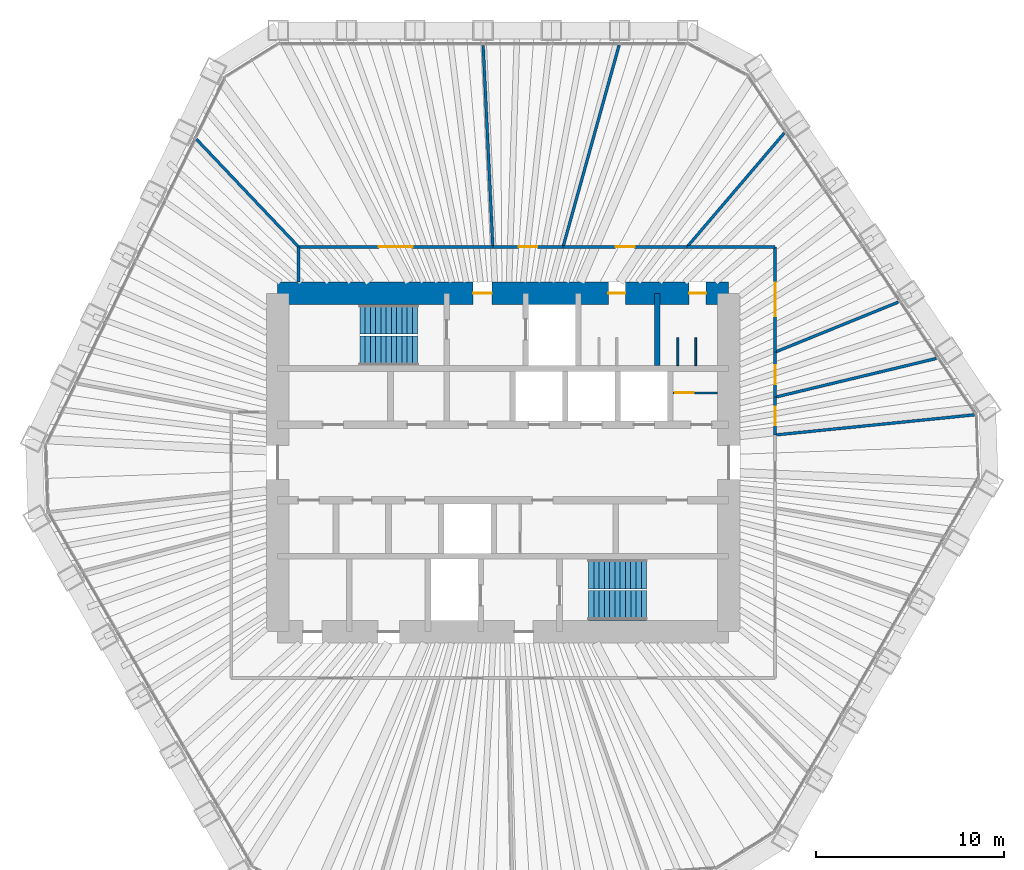
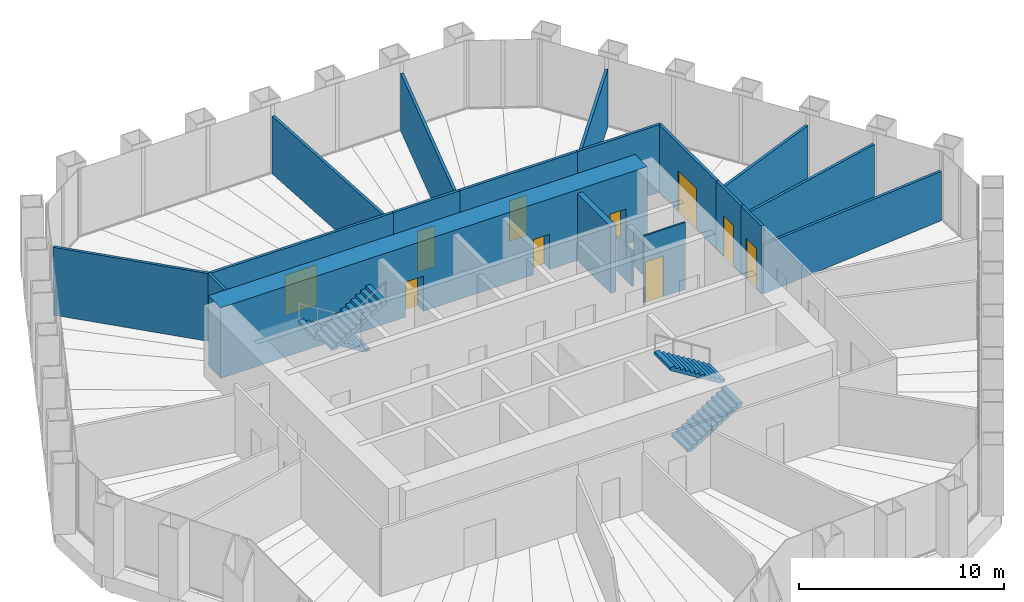
# One storey, part 12 of 13: 20 walls, 10 doors, 4 stair flights, 10 openings, 2 elements without a shape of their own.
"""IFC4 building model written with IfcOpenShell, lengths in metres."""

from ifc_helpers import new_model, si_unit, direction, frame, frame_2d, origin, place, context, subcontext, project, spatial, polyline, rectangle, outline, extrude, material, layer, layer_set, type_object, element, fill, aggregate, save


model = new_model("IFC4")

# Units and contexts
model_context = context("Model", 3, precision=1e-05, world=origin(), true_north=direction((0.0, 1.0)))
body_context = subcontext(model_context, "Body", "Model", "MODEL_VIEW")
ifc_project = project(units=[si_unit("LENGTHUNIT", "METRE"), si_unit("AREAUNIT", "SQUARE_METRE"), si_unit("VOLUMEUNIT", "CUBIC_METRE"), si_unit("PLANEANGLEUNIT", "RADIAN"), si_unit("MASSUNIT", "GRAM", prefix="KILO")], contexts=[model_context])

# Site, building, storey
site_placement = place(None, origin())
site = spatial("IfcSite", under=ifc_project, at=site_placement, CompositionType="ELEMENT")
building_placement = place(site_placement, origin())
building = spatial("IfcBuilding", under=site, at=building_placement, Name="Qingtian Harvest Tower", CompositionType="ELEMENT")
storey_placement = place(building_placement, frame((0.0, 0.0, 205.60009765625)))
storey = spatial("IfcBuildingStorey", under=building, at=storey_placement, Name="L44", CompositionType="ELEMENT", Elevation=205.60009765625)

# Wall
ifc_material_1 = material(Name="Precast concrete shaft panel", Category="concrete")
ifc_layer_1 = layer(ifc_material_1, 0.300048828125)
ifc_layer_set_1 = layer_set([ifc_layer_1], Name="Core shaft partition SW1 300")
wall_type_1 = type_object("IfcWallType", Name="Core shaft partition SW1 300", PredefinedType="PARTITIONING", material=ifc_layer_set_1)
wall_1_placement = place(storey_placement, frame((8.199951171875, 5.14990234375, 0.0), z_axis=(0.0, 0.0, 1.0), x_axis=(0.0, 1.0, 0.0)))
element("IfcWall", 1, at=wall_1_placement, inside=storey, type_object=wall_type_1, Name="Core shaft partition XN4 L44", PredefinedType="PARTITIONING", context=body_context, shape_type="SweptSolid", body=[
    extrude(rectangle(XDim=3.85009765625, YDim=0.300048828125, at=frame_2d((1.925048828125, 0.0))), origin(), (0.0, 0.0, 1.0), 3.97998046875),
])

# Wall, openings, doors
ifc_material_2 = material(Name="Concrete fc' 70 MPa", Category="concrete")
ifc_layer_2 = layer(ifc_material_2, 1.199951171875)
ifc_layer_set_2 = layer_set([ifc_layer_2], Name="Core wall RC2 1200")
wall_type_2 = type_object("IfcWallType", Name="Core wall RC2 1200", PredefinedType="SHEAR", material=ifc_layer_set_2)
wall_2_placement = place(storey_placement, frame((-12.0, 9.0, 0.0), z_axis=(0.0, 0.0, 1.0), x_axis=(1.0, 0.0, 0.0)))
wall_2 = element("IfcWall", 2, at=wall_2_placement, inside=storey, type_object=wall_type_2, Name="Core wall CN L44", PredefinedType="SHEAR", context=body_context, shape_type="SweptSolid", body=[
    extrude(rectangle(XDim=24.0, YDim=1.199951171875, at=frame_2d((12.0, 0.0))), origin(), (0.0, 0.0, 1.0), 4.199951171875),
])
opening_1_placement = place(wall_2_placement, frame((10.39990234375, 0.0, 0.0)))
opening_1 = element("IfcOpeningElement", 3, at=opening_1_placement, cuts=wall_2, Name="Opening FD1", PredefinedType="OPENING", context=body_context, shape_type="SweptSolid", body=[
    extrude(rectangle(XDim=1.0, YDim=2.10009765625, at=frame_2d((0.5, 1.050048828125))), frame((0.0, 0.60986328125, 0.0), z_axis=(0.0, -1.0, 0.0), x_axis=(1.0, 0.0, 0.0)), (0.0, 0.0, 1.0), 1.219970703125),
])
opening_2_placement = place(wall_2_placement, frame((17.60009765625, 0.0, 0.0)))
opening_2 = element("IfcOpeningElement", 4, at=opening_2_placement, cuts=wall_2, Name="Opening D1", PredefinedType="OPENING", context=body_context, shape_type="SweptSolid", body=[
    extrude(rectangle(XDim=0.89990234375, YDim=2.10009765625, at=frame_2d((0.449951171875, 1.050048828125))), frame((0.0, 0.60986328125, 0.0), z_axis=(0.0, -1.0, 0.0), x_axis=(1.0, 0.0, 0.0)), (0.0, 0.0, 1.0), 1.219970703125),
])
opening_3_placement = place(wall_2_placement, frame((21.89990234375, 0.0, 0.0)))
opening_3 = element("IfcOpeningElement", 5, at=opening_3_placement, cuts=wall_2, Name="Opening D1", PredefinedType="OPENING", context=body_context, shape_type="SweptSolid", body=[
    extrude(rectangle(XDim=0.89990234375, YDim=2.10009765625, at=frame_2d((0.449951171875, 1.050048828125))), frame((0.0, 0.60986328125, 0.0), z_axis=(0.0, -1.0, 0.0), x_axis=(1.0, 0.0, 0.0)), (0.0, 0.0, 1.0), 1.219970703125),
])
ifc_material_3 = material(Name="Steel-faced door leaf", Category="steel")
door_type_1 = type_object("IfcDoorType", Name="Fire door FD1 single 1 HR", OperationType="SINGLE_SWING_LEFT", PredefinedType="DOOR", material=ifc_material_3)
door_1_placement = place(opening_1_placement, origin())
door_1 = element("IfcDoor", 6, at=door_1_placement, inside=storey, type_object=door_type_1, Name="V1 door L44", OperationType="SINGLE_SWING_LEFT", OverallHeight=2.10009765625, OverallWidth=1.0, PredefinedType="DOOR", context=body_context, shape_type="SweptSolid", body=[
    extrude(rectangle(XDim=1.0, YDim=2.10009765625, at=frame_2d((0.5, 1.050048828125))), frame((0.0, 0.02490234375, 0.0), z_axis=(0.0, -1.0, 0.0), x_axis=(1.0, 0.0, 0.0)), (0.0, 0.0, 1.0), 0.050048828125),
])
fill(opening_1, door_1)
ifc_material_4 = material(Name="Laminated timber door leaf", Category="wood")
door_type_2 = type_object("IfcDoorType", Name="Toilet door D1 single", OperationType="SINGLE_SWING_LEFT", PredefinedType="DOOR", material=ifc_material_4)
door_2_placement = place(opening_2_placement, origin())
door_2 = element("IfcDoor", 7, at=door_2_placement, inside=storey, type_object=door_type_2, Name="WCM door L44", OperationType="SINGLE_SWING_LEFT", OverallHeight=2.10009765625, OverallWidth=0.89990234375, PredefinedType="DOOR", context=body_context, shape_type="SweptSolid", body=[
    extrude(rectangle(XDim=0.89990234375, YDim=2.10009765625, at=frame_2d((0.449951171875, 1.050048828125))), frame((0.0, 0.02490234375, 0.0), z_axis=(0.0, -1.0, 0.0), x_axis=(1.0, 0.0, 0.0)), (0.0, 0.0, 1.0), 0.050048828125),
])
fill(opening_2, door_2)
door_3_placement = place(opening_3_placement, origin())
door_3 = element("IfcDoor", 8, at=door_3_placement, inside=storey, type_object=door_type_2, Name="WCF door L44", OperationType="SINGLE_SWING_LEFT", OverallHeight=2.10009765625, OverallWidth=0.89990234375, PredefinedType="DOOR", context=body_context, shape_type="SweptSolid", body=[
    extrude(rectangle(XDim=0.89990234375, YDim=2.10009765625, at=frame_2d((0.449951171875, 1.050048828125))), frame((0.0, 0.02490234375, 0.0), z_axis=(0.0, -1.0, 0.0), x_axis=(1.0, 0.0, 0.0)), (0.0, 0.0, 1.0), 0.050048828125),
])
fill(opening_3, door_3)

# Walls
ifc_material_5 = material(Name="Gypsum board on steel studs", Category="steel")
ifc_layer_3 = layer(ifc_material_5, 0.14990234375)
ifc_layer_set_3 = layer_set([ifc_layer_3], Name="Partition PT1 150")
wall_type_3 = type_object("IfcWallType", Name="Partition PT1 150", PredefinedType="PARTITIONING", material=ifc_layer_set_3)
wall_3_placement = place(storey_placement, frame((-10.888671875, 9.60009765625, 0.0), z_axis=(0.0, 0.0, 1.0), x_axis=(0.0, 1.0, 0.0)))
element("IfcWall", 9, at=wall_3_placement, inside=storey, type_object=wall_type_3, Name="Workplace zone wall L44", PredefinedType="PARTITIONING", context=body_context, shape_type="SweptSolid", body=[
    extrude(rectangle(XDim=1.875, YDim=0.14990234375, at=frame_2d((0.9375, 0.0))), origin(), (0.0, 0.0, 1.0), 4.02978515625),
])
wall_4_placement = place(storey_placement, frame((-16.31884765625, 17.19775390625, 0.0), z_axis=(0.0, 0.0, 1.0), x_axis=(0.688326413955, -0.725401094466, 0.0)))
element("IfcWall", 10, at=wall_4_placement, inside=storey, type_object=wall_type_3, Name="Meeting room wall L44", PredefinedType="PARTITIONING", context=body_context, shape_type="SweptSolid", body=[
    extrude(rectangle(XDim=7.888916015625, YDim=0.14990234375, at=frame_2d((3.9443359375, 0.0))), origin(), (0.0, 0.0, 1.0), 4.02978515625),
])

# Wall, opening, door
wall_5_placement = place(storey_placement, frame((-10.888671875, 11.47509765625, 0.0), z_axis=(0.0, 0.0, 1.0), x_axis=(1.0, 0.0, 0.0)))
wall_5 = element("IfcWall", 11, at=wall_5_placement, inside=storey, type_object=wall_type_3, Name="Meeting room wall L44", PredefinedType="PARTITIONING", context=body_context, shape_type="SweptSolid", body=[
    extrude(rectangle(XDim=10.33740234375, YDim=0.14990234375, at=frame_2d((5.168701171875, 0.0))), origin(), (0.0, 0.0, 1.0), 4.02978515625),
])
opening_4_placement = place(wall_5_placement, frame((4.268798828125, 0.0, 0.0)))
opening_4 = element("IfcOpeningElement", 12, at=opening_4_placement, cuts=wall_5, Name="Opening D3", PredefinedType="OPENING", context=body_context, shape_type="SweptSolid", body=[
    extrude(rectangle(XDim=1.800048828125, YDim=2.39990234375, at=frame_2d((0.89990234375, 1.199951171875))), frame((0.0, 0.0849609375, 0.0), z_axis=(0.0, -1.0, 0.0), x_axis=(1.0, 0.0, 0.0)), (0.0, 0.0, 1.0), 0.169921875),
])
ifc_material_6 = material(Name="Laminated timber door leaf", Category="wood")
door_type_3 = type_object("IfcDoorType", Name="Room door D3 double", OperationType="DOUBLE_DOOR_DOUBLE_SWING", PredefinedType="DOOR", material=ifc_material_6)
door_4_placement = place(opening_4_placement, origin())
door_4 = element("IfcDoor", 13, at=door_4_placement, inside=storey, type_object=door_type_3, Name="Meeting room door L44", OperationType="DOUBLE_DOOR_DOUBLE_SWING", OverallHeight=2.39990234375, OverallWidth=1.800048828125, PredefinedType="DOOR", context=body_context, shape_type="SweptSolid", body=[
    extrude(rectangle(XDim=1.800048828125, YDim=2.39990234375, at=frame_2d((0.89990234375, 1.199951171875))), frame((0.0, 0.02490234375, 0.0), z_axis=(0.0, -1.0, 0.0), x_axis=(1.0, 0.0, 0.0)), (0.0, 0.0, 1.0), 0.050048828125),
])
fill(opening_4, door_4)

# Wall
wall_6_placement = place(storey_placement, frame((-1.066650390625, 22.2001953125, 0.0), z_axis=(0.0, 0.0, 1.0), x_axis=(0.047998335863, -0.998847415652, 0.0)))
element("IfcWall", 14, at=wall_6_placement, inside=storey, type_object=wall_type_3, Name="Focus room wall L44", PredefinedType="PARTITIONING", context=body_context, shape_type="SweptSolid", body=[
    extrude(rectangle(XDim=10.737548828125, YDim=0.14990234375, at=frame_2d((5.36865234375, 0.0))), origin(), (0.0, 0.0, 1.0), 3.429931640625),
])

# Wall, opening, door
wall_7_placement = place(storey_placement, frame((-0.55126953125, 11.47509765625, 0.0), z_axis=(0.0, 0.0, 1.0), x_axis=(1.0, 0.0, 0.0)))
wall_7 = element("IfcWall", 15, at=wall_7_placement, inside=storey, type_object=wall_type_3, Name="Focus room wall L44", PredefinedType="PARTITIONING", context=body_context, shape_type="SweptSolid", body=[
    extrude(rectangle(XDim=3.739501953125, YDim=0.14990234375, at=frame_2d((1.86962890625, 0.0))), origin(), (0.0, 0.0, 1.0), 4.02978515625),
])
opening_5_placement = place(wall_7_placement, frame((1.36962890625, 0.0, 0.0)))
opening_5 = element("IfcOpeningElement", 16, at=opening_5_placement, cuts=wall_7, Name="Opening D2", PredefinedType="OPENING", context=body_context, shape_type="SweptSolid", body=[
    extrude(rectangle(XDim=1.0, YDim=2.39990234375, at=frame_2d((0.5, 1.199951171875))), frame((0.0, 0.0849609375, 0.0), z_axis=(0.0, -1.0, 0.0), x_axis=(1.0, 0.0, 0.0)), (0.0, 0.0, 1.0), 0.169921875),
])
ifc_material_7 = material(Name="Laminated timber door leaf", Category="wood")
door_type_4 = type_object("IfcDoorType", Name="Room door D2 single", OperationType="SINGLE_SWING_LEFT", PredefinedType="DOOR", material=ifc_material_7)
door_5_placement = place(opening_5_placement, origin())
door_5 = element("IfcDoor", 17, at=door_5_placement, inside=storey, type_object=door_type_4, Name="Focus room door L44", OperationType="SINGLE_SWING_LEFT", OverallHeight=2.39990234375, OverallWidth=1.0, PredefinedType="DOOR", context=body_context, shape_type="SweptSolid", body=[
    extrude(rectangle(XDim=1.0, YDim=2.39990234375, at=frame_2d((0.5, 1.199951171875))), frame((0.0, 0.02490234375, 0.0), z_axis=(0.0, -1.0, 0.0), x_axis=(1.0, 0.0, 0.0)), (0.0, 0.0, 1.0), 0.050048828125),
])
fill(opening_5, door_5)

# Wall
wall_8_placement = place(storey_placement, frame((6.1689453125, 22.20361328125, 0.0), z_axis=(0.0, 0.0, 1.0), x_axis=(-0.26769135876, -0.963504715321, 0.0)))
element("IfcWall", 18, at=wall_8_placement, inside=storey, type_object=wall_type_3, Name="Pantry wall L44", PredefinedType="PARTITIONING", context=body_context, shape_type="SweptSolid", body=[
    extrude(rectangle(XDim=11.134765625, YDim=0.14990234375, at=frame_2d((5.5673828125, 0.0))), origin(), (0.0, 0.0, 1.0), 3.429931640625),
])

# Wall, opening, door
wall_9_placement = place(storey_placement, frame((3.188232421875, 11.47509765625, 0.0), z_axis=(0.0, 0.0, 1.0), x_axis=(1.0, 0.0, 0.0)))
wall_9 = element("IfcWall", 19, at=wall_9_placement, inside=storey, type_object=wall_type_3, Name="Pantry wall L44", PredefinedType="PARTITIONING", context=body_context, shape_type="SweptSolid", body=[
    extrude(rectangle(XDim=6.602783203125, YDim=0.14990234375, at=frame_2d((3.30126953125, 0.0))), origin(), (0.0, 0.0, 1.0), 4.02978515625),
])
opening_6_placement = place(wall_9_placement, frame((2.801513671875, 0.0, 0.0)))
opening_6 = element("IfcOpeningElement", 20, at=opening_6_placement, cuts=wall_9, Name="Opening D2", PredefinedType="OPENING", context=body_context, shape_type="SweptSolid", body=[
    extrude(rectangle(XDim=1.0, YDim=2.39990234375, at=frame_2d((0.5, 1.199951171875))), frame((0.0, 0.0849609375, 0.0), z_axis=(0.0, -1.0, 0.0), x_axis=(1.0, 0.0, 0.0)), (0.0, 0.0, 1.0), 0.169921875),
])
door_6_placement = place(opening_6_placement, origin())
door_6 = element("IfcDoor", 21, at=door_6_placement, inside=storey, type_object=door_type_4, Name="Pantry door L44", OperationType="SINGLE_SWING_LEFT", OverallHeight=2.39990234375, OverallWidth=1.0, PredefinedType="DOOR", context=body_context, shape_type="SweptSolid", body=[
    extrude(rectangle(XDim=1.0, YDim=2.39990234375, at=frame_2d((0.5, 1.199951171875))), frame((0.0, 0.02490234375, 0.0), z_axis=(0.0, -1.0, 0.0), x_axis=(1.0, 0.0, 0.0)), (0.0, 0.0, 1.0), 0.050048828125),
])
fill(opening_6, door_6)

# Walls
wall_10_placement = place(storey_placement, frame((14.9580078125, 17.530517578125, 0.0), z_axis=(0.0, 0.0, 1.0), x_axis=(-0.649097500837, -0.760705221756, 0.0)))
element("IfcWall", 22, at=wall_10_placement, inside=storey, type_object=wall_type_3, Name="Workplace zone wall L44", PredefinedType="PARTITIONING", context=body_context, shape_type="SweptSolid", body=[
    extrude(rectangle(XDim=7.960205078125, YDim=0.14990234375, at=frame_2d((3.97998046875, 0.0))), origin(), (0.0, 0.0, 1.0), 3.429931640625),
])
wall_11_placement = place(storey_placement, frame((9.791015625, 11.47509765625, 0.0), z_axis=(0.0, 0.0, 1.0), x_axis=(1.0, 0.0, 0.0)))
element("IfcWall", 23, at=wall_11_placement, inside=storey, type_object=wall_type_3, Name="Workplace zone wall L44", PredefinedType="PARTITIONING", context=body_context, shape_type="SweptSolid", body=[
    extrude(rectangle(XDim=4.68408203125, YDim=0.14990234375, at=frame_2d((2.342041015625, 0.0))), origin(), (0.0, 0.0, 1.0), 4.02978515625),
])

# Wall, opening, door
wall_12_placement = place(storey_placement, frame((14.47509765625, 11.47509765625, 0.0), z_axis=(0.0, 0.0, 1.0), x_axis=(0.0, -1.0, 0.0)))
wall_12 = element("IfcWall", 24, at=wall_12_placement, inside=storey, type_object=wall_type_3, Name="Workplace zone wall L44", PredefinedType="PARTITIONING", context=body_context, shape_type="SweptSolid", body=[
    extrude(rectangle(XDim=5.601318359375, YDim=0.14990234375, at=frame_2d((2.80078125, 0.0))), origin(), (0.0, 0.0, 1.0), 4.02978515625),
])
opening_7_placement = place(wall_12_placement, frame((1.900634765625, 0.0, 0.0)))
opening_7 = element("IfcOpeningElement", 25, at=opening_7_placement, cuts=wall_12, Name="Opening D3", PredefinedType="OPENING", context=body_context, shape_type="SweptSolid", body=[
    extrude(rectangle(XDim=1.800048828125, YDim=2.39990234375, at=frame_2d((0.89990234375, 1.199951171875))), frame((0.0, 0.0849609375, 0.0), z_axis=(0.0, -1.0, 0.0), x_axis=(1.0, 0.0, 0.0)), (0.0, 0.0, 1.0), 0.169921875),
])
door_7_placement = place(opening_7_placement, origin())
door_7 = element("IfcDoor", 26, at=door_7_placement, inside=storey, type_object=door_type_3, Name="Workplace zone door L44", OperationType="DOUBLE_DOOR_DOUBLE_SWING", OverallHeight=2.39990234375, OverallWidth=1.800048828125, PredefinedType="DOOR", context=body_context, shape_type="SweptSolid", body=[
    extrude(rectangle(XDim=1.800048828125, YDim=2.39990234375, at=frame_2d((0.89990234375, 1.199951171875))), frame((0.0, 0.02490234375, 0.0), z_axis=(0.0, -1.0, 0.0), x_axis=(1.0, 0.0, 0.0)), (0.0, 0.0, 1.0), 0.050048828125),
])
fill(opening_7, door_7)

# Wall
wall_13_placement = place(storey_placement, frame((21.02587890625, 8.531982421875, 0.0), z_axis=(0.0, 0.0, 1.0), x_axis=(-0.926617028548, -0.376006492503, 0.0)))
element("IfcWall", 27, at=wall_13_placement, inside=storey, type_object=wall_type_3, Name="Store room wall L44", PredefinedType="PARTITIONING", context=body_context, shape_type="SweptSolid", body=[
    extrude(rectangle(XDim=7.069580078125, YDim=0.14990234375, at=frame_2d((3.53466796875, 0.0))), origin(), (0.0, 0.0, 1.0), 3.429931640625),
])

# Wall, opening, door
wall_14_placement = place(storey_placement, frame((14.47509765625, 5.873779296875, 0.0), z_axis=(0.0, 0.0, 1.0), x_axis=(0.0, -1.0, 0.0)))
wall_14 = element("IfcWall", 28, at=wall_14_placement, inside=storey, type_object=wall_type_3, Name="Store room wall L44", PredefinedType="PARTITIONING", context=body_context, shape_type="SweptSolid", body=[
    extrude(rectangle(XDim=2.399169921875, YDim=0.14990234375, at=frame_2d((1.19970703125, 0.0))), origin(), (0.0, 0.0, 1.0), 4.02978515625),
])
opening_8_placement = place(wall_14_placement, frame((0.699462890625, 0.0, 0.0)))
opening_8 = element("IfcOpeningElement", 29, at=opening_8_placement, cuts=wall_14, Name="Opening D2", PredefinedType="OPENING", context=body_context, shape_type="SweptSolid", body=[
    extrude(rectangle(XDim=1.0, YDim=2.39990234375, at=frame_2d((0.5, 1.199951171875))), frame((0.0, 0.0849609375, 0.0), z_axis=(0.0, -1.0, 0.0), x_axis=(1.0, 0.0, 0.0)), (0.0, 0.0, 1.0), 0.169921875),
])
door_8_placement = place(opening_8_placement, origin())
door_8 = element("IfcDoor", 30, at=door_8_placement, inside=storey, type_object=door_type_4, Name="Store room door L44", OperationType="SINGLE_SWING_LEFT", OverallHeight=2.39990234375, OverallWidth=1.0, PredefinedType="DOOR", context=body_context, shape_type="SweptSolid", body=[
    extrude(rectangle(XDim=1.0, YDim=2.39990234375, at=frame_2d((0.5, 1.199951171875))), frame((0.0, 0.02490234375, 0.0), z_axis=(0.0, -1.0, 0.0), x_axis=(1.0, 0.0, 0.0)), (0.0, 0.0, 1.0), 0.050048828125),
])
fill(opening_8, door_8)

# Wall
wall_15_placement = place(storey_placement, frame((23.052978515625, 5.53369140625, 0.0), z_axis=(0.0, 0.0, 1.0), x_axis=(-0.972377252501, -0.233414821335, 0.0)))
element("IfcWall", 31, at=wall_15_placement, inside=storey, type_object=wall_type_3, Name="Private office wall L44", PredefinedType="PARTITIONING", context=body_context, shape_type="SweptSolid", body=[
    extrude(rectangle(XDim=8.821533203125, YDim=0.14990234375, at=frame_2d((4.41064453125, 0.0))), origin(), (0.0, 0.0, 1.0), 3.429931640625),
])

# Wall, opening, door
wall_16_placement = place(storey_placement, frame((14.47509765625, 3.474609375, 0.0), z_axis=(0.0, 0.0, 1.0), x_axis=(0.0, -1.0, 0.0)))
wall_16 = element("IfcWall", 32, at=wall_16_placement, inside=storey, type_object=wall_type_3, Name="Private office wall L44", PredefinedType="PARTITIONING", context=body_context, shape_type="SweptSolid", body=[
    extrude(rectangle(XDim=2.011962890625, YDim=0.14990234375, at=frame_2d((1.005859375, 0.0))), origin(), (0.0, 0.0, 1.0), 4.02978515625),
])
opening_9_placement = place(wall_16_placement, frame((0.505859375, 0.0, 0.0)))
opening_9 = element("IfcOpeningElement", 33, at=opening_9_placement, cuts=wall_16, Name="Opening D2", PredefinedType="OPENING", context=body_context, shape_type="SweptSolid", body=[
    extrude(rectangle(XDim=1.0, YDim=2.39990234375, at=frame_2d((0.5, 1.199951171875))), frame((0.0, 0.0849609375, 0.0), z_axis=(0.0, -1.0, 0.0), x_axis=(1.0, 0.0, 0.0)), (0.0, 0.0, 1.0), 0.169921875),
])
door_9_placement = place(opening_9_placement, origin())
door_9 = element("IfcDoor", 34, at=door_9_placement, inside=storey, type_object=door_type_4, Name="Private office door L44", OperationType="SINGLE_SWING_LEFT", OverallHeight=2.39990234375, OverallWidth=1.0, PredefinedType="DOOR", context=body_context, shape_type="SweptSolid", body=[
    extrude(rectangle(XDim=1.0, YDim=2.39990234375, at=frame_2d((0.5, 1.199951171875))), frame((0.0, 0.02490234375, 0.0), z_axis=(0.0, -1.0, 0.0), x_axis=(1.0, 0.0, 0.0)), (0.0, 0.0, 1.0), 0.050048828125),
])
fill(opening_9, door_9)

# Wall
wall_17_placement = place(storey_placement, frame((25.082763671875, 2.53466796875, 0.0), z_axis=(0.0, 0.0, 1.0), x_axis=(-0.994932122767, -0.10054884925, 0.0)))
element("IfcWall", 35, at=wall_17_placement, inside=storey, type_object=wall_type_3, Name="Private office wall L44", PredefinedType="PARTITIONING", context=body_context, shape_type="SweptSolid", body=[
    extrude(rectangle(XDim=10.66162109375, YDim=0.14990234375, at=frame_2d((5.330810546875, 0.0))), origin(), (0.0, 0.0, 1.0), 2.929931640625),
])

# Wall, opening, door
ifc_material_8 = material(Name="Concrete block partition", Category="concrete")
ifc_layer_4 = layer(ifc_material_8, 0.10009765625)
ifc_layer_set_4 = layer_set([ifc_layer_4], Name="Store partition PT3 100")
wall_type_4 = type_object("IfcWallType", Name="Store partition PT3 100", PredefinedType="PARTITIONING", material=ifc_layer_set_4)
wall_18_placement = place(storey_placement, frame((9.050048828125, 3.699951171875, 0.0), z_axis=(0.0, 0.0, 1.0), x_axis=(1.0, 0.0, 0.0)))
wall_18 = element("IfcWall", 36, at=wall_18_placement, inside=storey, type_object=wall_type_4, Name="Filter plant room wall L44", PredefinedType="PARTITIONING", context=body_context, shape_type="SweptSolid", body=[
    extrude(rectangle(XDim=2.349853515625, YDim=0.10009765625, at=frame_2d((1.1748046875, 0.0))), origin(), (0.0, 0.0, 1.0), 3.97998046875),
])
opening_10_placement = place(wall_18_placement, frame((0.10009765625, 0.0, 0.0)))
opening_10 = element("IfcOpeningElement", 37, at=opening_10_placement, cuts=wall_18, Name="Opening D2", PredefinedType="OPENING", context=body_context, shape_type="SweptSolid", body=[
    extrude(rectangle(XDim=1.0, YDim=2.39990234375, at=frame_2d((0.5, 1.199951171875))), frame((0.0, 0.06005859375, 0.0), z_axis=(0.0, -1.0, 0.0), x_axis=(1.0, 0.0, 0.0)), (0.0, 0.0, 1.0), 0.1201171875),
])
door_10_placement = place(opening_10_placement, origin())
door_10 = element("IfcDoor", 38, at=door_10_placement, inside=storey, type_object=door_type_4, Name="Filter plant room door L44", OperationType="SINGLE_SWING_RIGHT", OverallHeight=2.39990234375, OverallWidth=1.0, PredefinedType="DOOR", context=body_context, shape_type="SweptSolid", body=[
    extrude(rectangle(XDim=1.0, YDim=2.39990234375, at=frame_2d((0.5, 1.199951171875))), frame((0.0, 0.02490234375, 0.0), z_axis=(0.0, -1.0, 0.0), x_axis=(1.0, 0.0, 0.0)), (0.0, 0.0, 1.0), 0.050048828125),
])
fill(opening_10, door_10)

# Walls
ifc_material_9 = material(Name="Compact laminate cubicle partition", Category="plastic")
ifc_layer_5 = layer(ifc_material_9, 0.10009765625)
ifc_layer_set_5 = layer_set([ifc_layer_5], Name="WC cubicle partition WP1 100")
wall_type_5 = type_object("IfcWallType", Name="WC cubicle partition WP1 100", PredefinedType="PARTITIONING", material=ifc_layer_set_5)
for number, where, z_axis, x_axis, name in (
    (39, (9.300048828125, 5.14990234375, 0.0), (0.0, 0.0, 1.0), (0.0, 1.0, 0.0), "WC cubicle partition WCF L44"),
    (40, (10.25, 5.14990234375, 0.0), (0.0, 0.0, 1.0), (0.0, 1.0, 0.0), "WC cubicle partition WCF L44"),
):
    element("IfcWall", number, at=place(storey_placement, frame(where, z_axis=z_axis, x_axis=x_axis)), inside=storey, type_object=wall_type_5, Name=name, PredefinedType="PARTITIONING", context=body_context, shape_type="SweptSolid", body=[
        extrude(rectangle(XDim=1.5, YDim=0.10009765625, at=frame_2d((0.75, 0.0))), origin(), (0.0, 0.0, 1.0), 2.099853515625),
    ])

# Stair, stair flights
ifc_material_10 = material(Name="Concrete fc' 35 MPa", Category="concrete")
stair_type = type_object("IfcStairType", Name="Special stair ST4 4200", PredefinedType="HALF_TURN_STAIR", material=ifc_material_10)
stair_1_placement = place(storey_placement, origin())
stair_1 = element("IfcStair", 41, at=stair_1_placement, inside=storey, type_object=stair_type, Name="Special stair S1 L44", PredefinedType="HALF_TURN_STAIR")
ifc_material_11 = material(Name="Concrete fc' 35 MPa", Category="concrete")
stair_flight_type = type_object("IfcStairFlightType", Name="Stair flight SF4 4200", PredefinedType="STRAIGHT", material=ifc_material_11)
stair_flight_1_placement = place(storey_placement, frame((-4.550048828125, 7.612548828125, 0.0), z_axis=(0.0, 0.0, 1.0), x_axis=(-1.0, 0.0, 0.0)))
stair_flight_1 = element("IfcStairFlight", 42, at=stair_flight_1_placement, type_object=stair_flight_type, Name="S1 flight 1", NumberOfRisers=12, NumberOfTreads=11, PredefinedType="STRAIGHT", RiserHeight=0.175, TreadLength=0.28, context=body_context, shape_type="SweptSolid", body=[
    extrude(outline(polyline([(0.0, 0.0), (0.0, 0.175048828125), (0.280029296875, 0.175048828125), (0.280029296875, 0.35009765625), (0.56005859375, 0.35009765625), (0.56005859375, 0.52490234375), (0.840087890625, 0.52490234375), (0.840087890625, 0.699951171875), (1.1201171875, 0.699951171875), (1.1201171875, 0.875), (1.39990234375, 0.875), (1.39990234375, 1.050048828125), (1.679931640625, 1.050048828125), (1.679931640625, 1.22509765625), (1.9599609375, 1.22509765625), (1.9599609375, 1.39990234375), (2.239990234375, 1.39990234375), (2.239990234375, 1.574951171875), (2.52001953125, 1.574951171875), (2.52001953125, 1.75), (2.800048828125, 1.75), (2.800048828125, 1.925048828125), (3.080078125, 1.925048828125), (3.080078125, 2.10009765625), (3.080078125, 1.748291015625), (0.28271484375, 0.0), (0.0, 0.0)])), frame((0.0, 0.78759765625, 0.0), z_axis=(0.0, -1.0, 0.0), x_axis=(1.0, 0.0, 0.0)), (0.0, 0.0, 1.0), 1.574951171875),
])
stair_flight_2_placement = place(storey_placement, frame((-7.6298828125, 5.9375, 2.099853515625), z_axis=(0.0, 0.0, 1.0), x_axis=(1.0, 0.0, 0.0)))
stair_flight_2 = element("IfcStairFlight", 43, at=stair_flight_2_placement, type_object=stair_flight_type, Name="S1 flight 2", NumberOfRisers=12, NumberOfTreads=11, PredefinedType="STRAIGHT", RiserHeight=0.175, TreadLength=0.28, context=body_context, shape_type="SweptSolid", body=[
    extrude(outline(polyline([(0.0, 0.0), (0.0, 0.175048828125), (0.280029296875, 0.175048828125), (0.280029296875, 0.35009765625), (0.56005859375, 0.35009765625), (0.56005859375, 0.52490234375), (0.840087890625, 0.52490234375), (0.840087890625, 0.699951171875), (1.1201171875, 0.699951171875), (1.1201171875, 0.875), (1.39990234375, 0.875), (1.39990234375, 1.050048828125), (1.679931640625, 1.050048828125), (1.679931640625, 1.22509765625), (1.9599609375, 1.22509765625), (1.9599609375, 1.39990234375), (2.239990234375, 1.39990234375), (2.239990234375, 1.574951171875), (2.52001953125, 1.574951171875), (2.52001953125, 1.75), (2.800048828125, 1.75), (2.800048828125, 1.925048828125), (3.080078125, 1.925048828125), (3.080078125, 2.10009765625), (3.080078125, 1.748291015625), (0.28271484375, 0.0), (0.0, 0.0)])), frame((0.0, 0.78759765625, 0.0), z_axis=(0.0, -1.0, 0.0), x_axis=(1.0, 0.0, 0.0)), (0.0, 0.0, 1.0), 1.574951171875),
])
aggregate(stair_1, [stair_flight_1, stair_flight_2])

stair_2_placement = place(storey_placement, origin())
stair_2 = element("IfcStair", 44, at=stair_2_placement, inside=storey, type_object=stair_type, Name="Special stair S2 L44", PredefinedType="HALF_TURN_STAIR")
stair_flight_3_placement = place(storey_placement, frame((4.550048828125, -7.612548828125, 0.0), z_axis=(0.0, 0.0, 1.0), x_axis=(1.0, 0.0, 0.0)))
stair_flight_3 = element("IfcStairFlight", 45, at=stair_flight_3_placement, type_object=stair_flight_type, Name="S2 flight 1", NumberOfRisers=12, NumberOfTreads=11, PredefinedType="STRAIGHT", RiserHeight=0.175, TreadLength=0.28, context=body_context, shape_type="SweptSolid", body=[
    extrude(outline(polyline([(0.0, 0.0), (0.0, 0.175048828125), (0.280029296875, 0.175048828125), (0.280029296875, 0.35009765625), (0.56005859375, 0.35009765625), (0.56005859375, 0.52490234375), (0.840087890625, 0.52490234375), (0.840087890625, 0.699951171875), (1.1201171875, 0.699951171875), (1.1201171875, 0.875), (1.39990234375, 0.875), (1.39990234375, 1.050048828125), (1.679931640625, 1.050048828125), (1.679931640625, 1.22509765625), (1.9599609375, 1.22509765625), (1.9599609375, 1.39990234375), (2.239990234375, 1.39990234375), (2.239990234375, 1.574951171875), (2.52001953125, 1.574951171875), (2.52001953125, 1.75), (2.800048828125, 1.75), (2.800048828125, 1.925048828125), (3.080078125, 1.925048828125), (3.080078125, 2.10009765625), (3.080078125, 1.748291015625), (0.28271484375, 0.0), (0.0, 0.0)])), frame((0.0, 0.78759765625, 0.0), z_axis=(0.0, -1.0, 0.0), x_axis=(1.0, 0.0, 0.0)), (0.0, 0.0, 1.0), 1.574951171875),
])
stair_flight_4_placement = place(storey_placement, frame((7.6298828125, -5.9375, 2.099853515625), z_axis=(0.0, 0.0, 1.0), x_axis=(-1.0, 0.0, 0.0)))
stair_flight_4 = element("IfcStairFlight", 46, at=stair_flight_4_placement, type_object=stair_flight_type, Name="S2 flight 2", NumberOfRisers=12, NumberOfTreads=11, PredefinedType="STRAIGHT", RiserHeight=0.175, TreadLength=0.28, context=body_context, shape_type="SweptSolid", body=[
    extrude(outline(polyline([(0.0, 0.0), (0.0, 0.175048828125), (0.280029296875, 0.175048828125), (0.280029296875, 0.35009765625), (0.56005859375, 0.35009765625), (0.56005859375, 0.52490234375), (0.840087890625, 0.52490234375), (0.840087890625, 0.699951171875), (1.1201171875, 0.699951171875), (1.1201171875, 0.875), (1.39990234375, 0.875), (1.39990234375, 1.050048828125), (1.679931640625, 1.050048828125), (1.679931640625, 1.22509765625), (1.9599609375, 1.22509765625), (1.9599609375, 1.39990234375), (2.239990234375, 1.39990234375), (2.239990234375, 1.574951171875), (2.52001953125, 1.574951171875), (2.52001953125, 1.75), (2.800048828125, 1.75), (2.800048828125, 1.925048828125), (3.080078125, 1.925048828125), (3.080078125, 2.10009765625), (3.080078125, 1.748291015625), (0.28271484375, 0.0), (0.0, 0.0)])), frame((0.0, 0.78759765625, 0.0), z_axis=(0.0, -1.0, 0.0), x_axis=(1.0, 0.0, 0.0)), (0.0, 0.0, 1.0), 1.574951171875),
])
aggregate(stair_2, [stair_flight_3, stair_flight_4])

save(model, "model.ifc")
